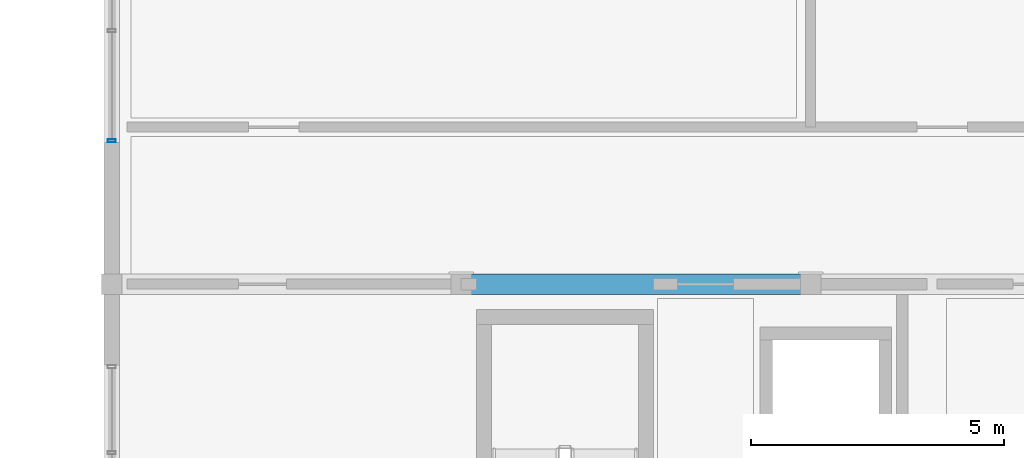
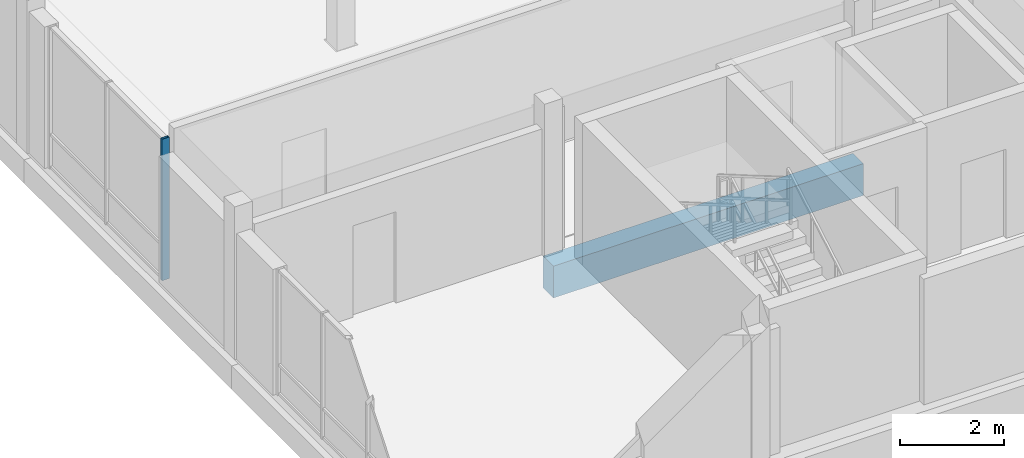
# One storey, part 23 of 189: 1 beam, 1 member, 1 element without a shape of its own.
"""IFC4 building model written with IfcOpenShell, lengths in metres."""

from ifc_helpers import new_model, si_unit, direction, frame, origin, origin_2d, place, context, subcontext, project, spatial, rectangle, hollow_rectangle, extrude, material, material_profile, profile_set, type_object, element, aggregate, save


model = new_model("IFC4")

# Units and contexts
model_context = context("Model", 3, precision=1e-05, world=origin(), true_north=direction((0.0, 1.0)))
body_context = subcontext(model_context, "Body", "Model", "MODEL_VIEW")
ifc_project = project(units=[si_unit("LENGTHUNIT", "METRE"), si_unit("AREAUNIT", "SQUARE_METRE"), si_unit("VOLUMEUNIT", "CUBIC_METRE"), si_unit("PLANEANGLEUNIT", "RADIAN"), si_unit("MASSUNIT", "GRAM", prefix="KILO")], contexts=[model_context])

# Site, building, storey
site_placement = place(None, origin())
site = spatial("IfcSite", under=ifc_project, at=site_placement, CompositionType="ELEMENT")
building_placement = place(site_placement, origin())
building = spatial("IfcBuilding", under=site, at=building_placement, Name="Zavelmont Quarter", CompositionType="ELEMENT")
storey_placement = place(building_placement, frame((0.0, 0.0, 4.39990234375)))
storey = spatial("IfcBuildingStorey", under=building, at=storey_placement, Name="L01", CompositionType="ELEMENT", Elevation=4.39990234375)

# Beam
ifc_material_1 = material(Name="Concrete C40/50", Category="concrete")
ifc_material_profile_1 = material_profile(ifc_material_1, rectangle(XDim=0.39990234375, YDim=0.75, at=origin_2d()), Name="RC400X750")
ifc_profile_set_1 = profile_set([ifc_material_profile_1], Name="Concrete C40/50")
beam_type = type_object("IfcBeamType", Name="BM05", PredefinedType="BEAM", material=ifc_profile_set_1)
beam_placement = place(storey_placement, frame((6.89990234375, 38.0, -0.65478515625), z_axis=(1.0, 0.0, 0.0), x_axis=(0.0, 1.0, 0.0)))
element("IfcBeam", 1, at=beam_placement, inside=storey, type_object=beam_type, Name="L01 beam BM05 2/G to 3/G", PredefinedType="BEAM", context=body_context, shape_type="SweptSolid", body=[
    extrude(rectangle(XDim=0.39990234375, YDim=0.75, at=origin_2d()), origin(), (0.0, 0.0, 1.0), 6.900146484375),
])

# Curtain wall, member
ifc_material_2 = material(Name="Thermally broken aluminium and double low-E safety glazing", Category="aluminium")
curtain_wall_type = type_object("IfcCurtainWallType", Name="CW-440X333", PredefinedType="NOTDEFINED", material=ifc_material_2)
curtain_wall_placement = place(storey_placement, origin())
curtain_wall = element("IfcCurtainWall", 2, at=curtain_wall_placement, inside=storey, type_object=curtain_wall_type, Name="L01 unitised curtain wall CW-440X333", PredefinedType="NOTDEFINED")
ifc_material_3 = material(Name="Powder-coated aluminium EN AW-6063-T6", Category="aluminium")
ifc_material_profile_2 = material_profile(ifc_material_3, hollow_rectangle(XDim=0.06005859375, YDim=0.159912109375, WallThickness=0.00390625, at=origin_2d()), Name="CWM60X160")
ifc_profile_set_2 = profile_set([ifc_material_profile_2], Name="Powder-coated aluminium EN AW-6063-T6")
member_type = type_object("IfcMemberType", Name="CWM01", PredefinedType="MULLION", material=ifc_profile_set_2)
member_placement = place(storey_placement, frame((0.0, 40.830078125, 0.0), z_axis=(0.0, 0.0, 1.0), x_axis=(0.0, 1.0, 0.0)))
member = element("IfcMember", 3, at=member_placement, type_object=member_type, Name="CW-440X333 mullion 1", PredefinedType="MULLION", context=body_context, shape_type="SweptSolid", body=[
    extrude(hollow_rectangle(XDim=0.06005859375, YDim=0.159912109375, WallThickness=0.00390625, at=origin_2d()), origin(), (0.0, 0.0, 1.0), 3.330078125),
])
aggregate(curtain_wall, [member])

save(model, "model.ifc")
